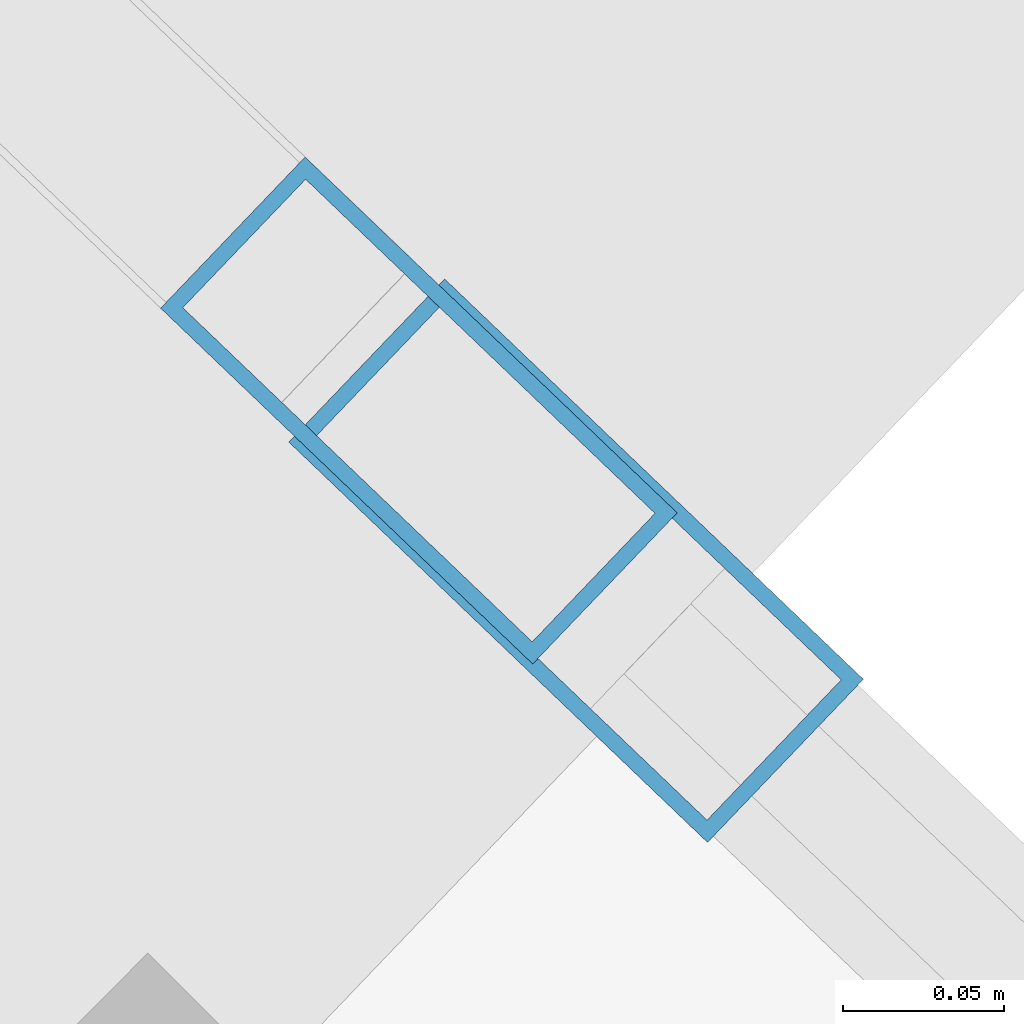
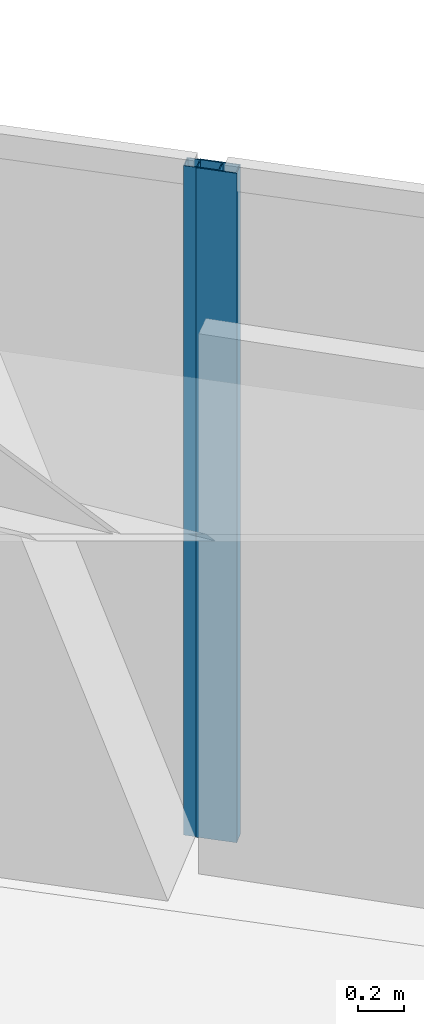
# One storey, part 10 of 23: 2 members, 2 elements without a shape of their own.
"""IFC4 building model written with IfcOpenShell, lengths in metres."""

from ifc_helpers import new_model, si_unit, direction, frame, origin, origin_2d, place, context, subcontext, project, spatial, hollow_rectangle, extrude, material, layer, layer_set, material_profile, profile_set, type_object, element, aggregate, save


model = new_model("IFC4")

# Units and contexts
model_context = context("Model", 3, precision=1e-05, world=origin(), true_north=direction((0.0, 1.0)))
body_context = subcontext(model_context, "Body", "Model", "MODEL_VIEW")
ifc_project = project(units=[si_unit("LENGTHUNIT", "METRE"), si_unit("AREAUNIT", "SQUARE_METRE"), si_unit("VOLUMEUNIT", "CUBIC_METRE"), si_unit("PLANEANGLEUNIT", "RADIAN"), si_unit("MASSUNIT", "GRAM", prefix="KILO")], contexts=[model_context])

# Site, building, storey
site_placement = place(None, origin())
site = spatial("IfcSite", under=ifc_project, at=site_placement, CompositionType="ELEMENT")
building_placement = place(site_placement, origin())
building = spatial("IfcBuilding", under=site, at=building_placement, Name="Qianvela Tower", CompositionType="ELEMENT")
storey_placement = place(building_placement, frame((0.0, 0.0, 63.60009765625)))
storey = spatial("IfcBuildingStorey", under=building, at=storey_placement, Name="L15", CompositionType="ELEMENT", Elevation=63.60009765625)

# Curtain wall, member
ifc_material_1 = material(Name="Anodised Architectural Aluminium and Insulated Spandrel Panel", Category="aluminium")
ifc_layer_1 = layer(ifc_material_1, 0.179931640625)
ifc_layer_set_1 = layer_set([ifc_layer_1], Name="Anodised Architectural Aluminium and Insulated Spandrel Panel")
curtain_wall_type_1 = type_object("IfcCurtainWallType", Name="CW-BRACEBAY", PredefinedType="USERDEFINED", material=ifc_layer_set_1)
curtain_wall_1_placement = place(storey_placement, origin())
curtain_wall_1 = element("IfcCurtainWall", 1, at=curtain_wall_1_placement, inside=storey, type_object=curtain_wall_type_1, Name="L15 CW-BRACEBAY Curtain Wall 02B", ObjectType="CURTAIN_WALL_SYSTEM", PredefinedType="USERDEFINED")
ifc_material_2 = material(Name="Anodised Architectural Aluminium 6063-T6", Category="aluminium")
ifc_material_profile_1 = material_profile(ifc_material_2, hollow_rectangle(XDim=0.06494140625, YDim=0.159912109375, WallThickness=0.0048828125, at=origin_2d()), Name="ALU-MULL-65x160")
ifc_profile_set_1 = profile_set([ifc_material_profile_1], Name="Anodised Architectural Aluminium 6063-T6")
member_type_1 = type_object("IfcMemberType", Name="CW-BRACEBAY-MULL", PredefinedType="MULLION", material=ifc_profile_set_1)
member_1_placement = place(storey_placement, frame((48.391357421875, 33.868408203125, 0.0), z_axis=(0.0, 0.0, 1.0), x_axis=(-0.691046097321, -0.722810688477, 0.0)))
member_1 = element("IfcMember", 2, at=member_1_placement, type_object=member_type_1, Name="CW-9 mullion 1", PredefinedType="MULLION", context=body_context, shape_type="SweptSolid", body=[
    extrude(hollow_rectangle(XDim=0.06494140625, YDim=0.159912109375, WallThickness=0.0048828125, at=origin_2d()), origin(), (0.0, 0.0, 1.0), 3.52001953125),
])
aggregate(curtain_wall_1, [member_1])

ifc_material_3 = material(Name="Anodised Architectural Aluminium and Low-E Glass", Category="aluminium")
ifc_layer_2 = layer(ifc_material_3, 0.179931640625)
ifc_layer_set_2 = layer_set([ifc_layer_2], Name="Anodised Architectural Aluminium and Low-E Glass")
curtain_wall_type_2 = type_object("IfcCurtainWallType", Name="CW-COLIV-Z12", PredefinedType="USERDEFINED", material=ifc_layer_set_2)
curtain_wall_2_placement = place(storey_placement, origin())
curtain_wall_2 = element("IfcCurtainWall", 3, at=curtain_wall_2_placement, inside=storey, type_object=curtain_wall_type_2, Name="L15 CW-COLIV-Z12 Curtain Wall 02A", ObjectType="CURTAIN_WALL_SYSTEM", PredefinedType="USERDEFINED")
ifc_material_4 = material(Name="Anodised Architectural Aluminium 6063-T6", Category="aluminium")
ifc_material_profile_2 = material_profile(ifc_material_4, hollow_rectangle(XDim=0.070068359375, YDim=0.179931640625, WallThickness=0.0048828125, at=origin_2d()), Name="ALU-MULL-70x180")
ifc_profile_set_2 = profile_set([ifc_material_profile_2], Name="Anodised Architectural Aluminium 6063-T6")
member_type_2 = type_object("IfcMemberType", Name="CW-COLIV-Z12-MULL", PredefinedType="MULLION", material=ifc_profile_set_2)
member_2_placement = place(storey_placement, frame((48.440185546875, 33.82177734375, 0.0), z_axis=(0.0, 0.0, 1.0), x_axis=(-0.691042505625, -0.722814122316, 0.0)))
member_2 = element("IfcMember", 4, at=member_2_placement, type_object=member_type_2, Name="CW-3 mullion 3", PredefinedType="MULLION", context=body_context, shape_type="SweptSolid", body=[
    extrude(hollow_rectangle(XDim=0.070068359375, YDim=0.179931640625, WallThickness=0.0048828125, at=origin_2d()), origin(), (0.0, 0.0, 1.0), 3.52001953125),
])
aggregate(curtain_wall_2, [member_2])

save(model, "model.ifc")
